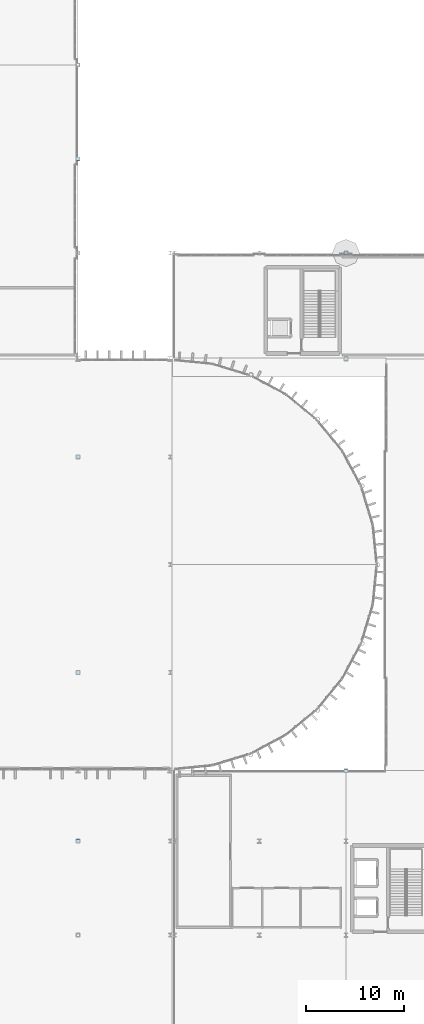
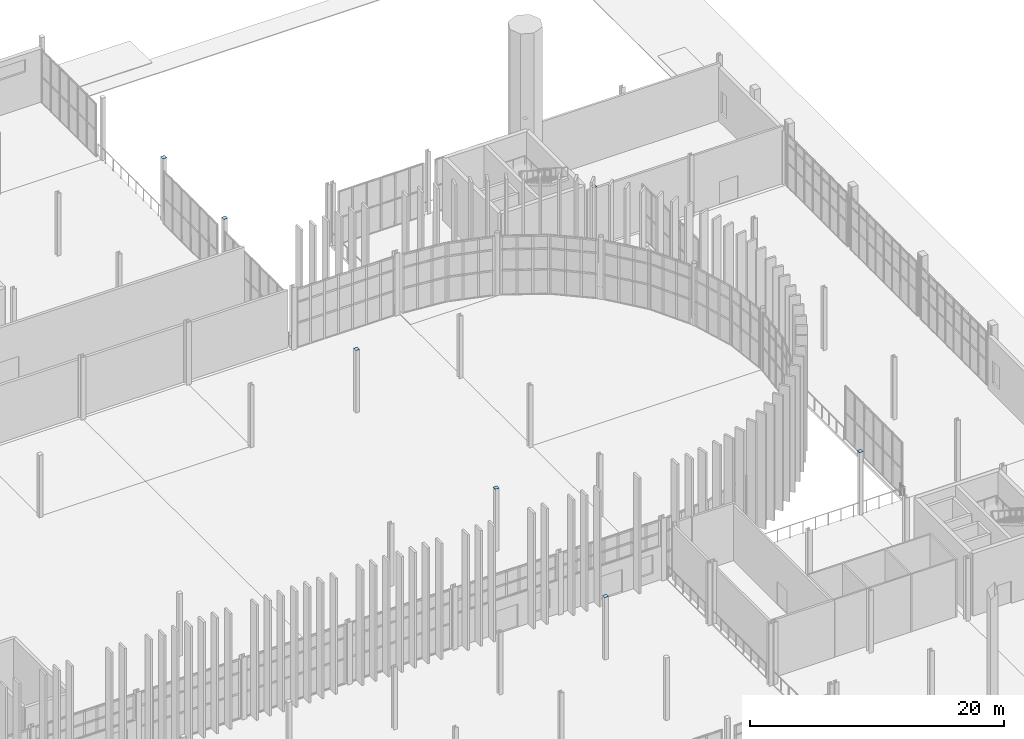
# One storey, part 99 of 139: 8 plates.
"""IFC4 building model written with IfcOpenShell, lengths in metres."""

from ifc_helpers import new_model, si_unit, direction, frame, origin, origin_2d, place, context, subcontext, project, spatial, rectangle, extrude, material, layer, layer_set, type_object, element, save


model = new_model("IFC4")

# Units and contexts
model_context = context("Model", 3, precision=1e-05, world=origin(), true_north=direction((0.0, 1.0)))
body_context = subcontext(model_context, "Body", "Model", "MODEL_VIEW")
ifc_project = project(units=[si_unit("LENGTHUNIT", "METRE"), si_unit("AREAUNIT", "SQUARE_METRE"), si_unit("VOLUMEUNIT", "CUBIC_METRE"), si_unit("PLANEANGLEUNIT", "RADIAN"), si_unit("MASSUNIT", "GRAM", prefix="KILO")], contexts=[model_context])

# Site, building, storey
site_placement = place(None, origin())
site = spatial("IfcSite", under=ifc_project, at=site_placement, CompositionType="ELEMENT")
building_placement = place(site_placement, origin())
building = spatial("IfcBuilding", under=site, at=building_placement, Name="Yeouljin Market Hall", CompositionType="ELEMENT")
storey_placement = place(building_placement, origin())
storey = spatial("IfcBuildingStorey", under=building, at=storey_placement, Name="L00", CompositionType="ELEMENT", Elevation=0.0)

# Plates
ifc_material = material(Name="Steel SM355", Category="steel")
ifc_layer = layer(ifc_material, 0.01611328125)
ifc_layer_set = layer_set([ifc_layer], Name="Steel SM355")
plate_type = type_object("IfcPlateType", Name="CapPlate_360x360x16", PredefinedType="SHEET", material=ifc_layer_set)
for number, where, z_axis, x_axis, name in (
    (1, (131.39990234375, 28.800048828125, 6.0), (0.0, 0.0, 1.0), (1.0, 0.0, 0.0), "Hollow column top cap plate G-15-03 (L00)"),
    (2, (131.39990234375, 46.0, 6.0), (0.0, 0.0, 1.0), (1.0, 0.0, 0.0), "Hollow column top cap plate G-15-05 (L00)"),
    (3, (131.39990234375, 68.0, 6.0), (0.0, 0.0, 1.0), (1.0, 0.0, 0.0), "Hollow column top cap plate G-15-07 (L00)"),
    (4, (131.39990234375, 88.800048828125, 6.0), (0.0, 0.0, 1.0), (1.0, 0.0, 0.0), "Hollow column top cap plate G-15-09 (L00)"),
    (5, (131.39990234375, 98.39990234375, 6.0), (0.0, 0.0, 1.0), (1.0, 0.0, 0.0), "Hollow column top cap plate G-15-10 (L00)"),
    (6, (158.739990234375, 36.0, 6.0), (0.0, 0.0, 1.0), (1.0, 0.0, 0.0), "Hollow column top cap plate G-19-04 (L00)"),
    (7, (158.739990234375, 78.0, 6.0), (0.0, 0.0, 1.0), (1.0, 0.0, 0.0), "Hollow column top cap plate G-19-08 (L00)"),
    (8, (158.739990234375, 88.800048828125, 6.0), (0.0, 0.0, 1.0), (1.0, 0.0, 0.0), "Hollow column top cap plate G-19-09 (L00)"),
):
    element("IfcPlate", number, at=place(storey_placement, frame(where, z_axis=z_axis, x_axis=x_axis)), inside=storey, type_object=plate_type, Name=name, PredefinedType="SHEET", context=body_context, shape_type="SweptSolid", body=[
        extrude(rectangle(XDim=0.360107421875, YDim=0.360107421875, at=origin_2d()), origin(), (0.0, 0.0, 1.0), 0.01611328125),
    ])

save(model, "model.ifc")
